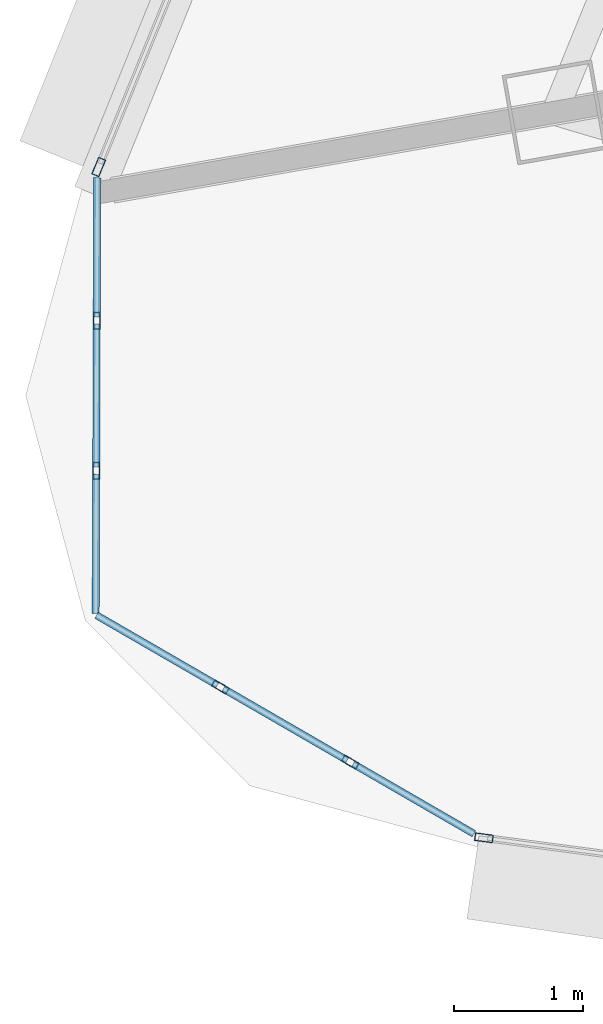
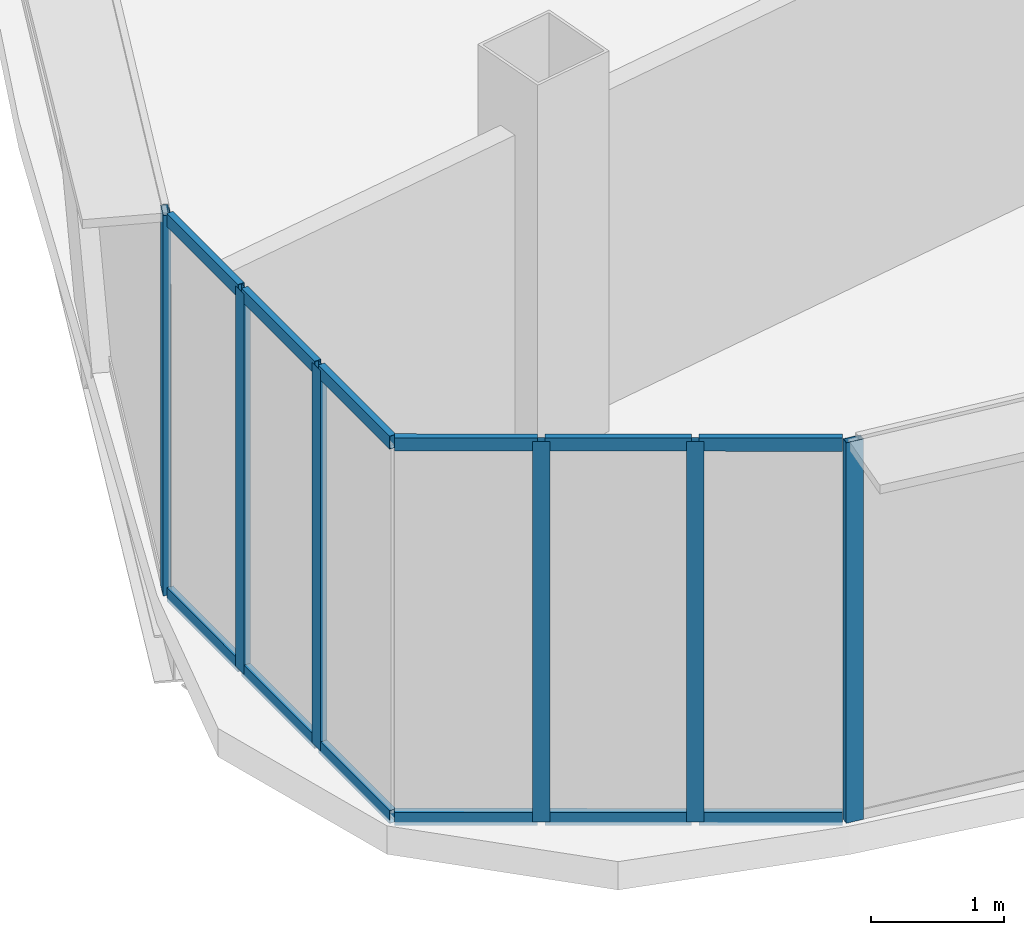
# One storey, part 2 of 26: 18 members, 4 elements without a shape of their own.
"""IFC4 building model written with IfcOpenShell, lengths in metres."""

from ifc_helpers import new_model, si_unit, direction, frame, origin, origin_2d, place, context, subcontext, project, spatial, hollow_rectangle, extrude, source, transform, mapped, material, layer, layer_set, material_profile, profile_set, type_object, element, aggregate, save


model = new_model("IFC4")

# Units and contexts
model_context = context("Model", 3, precision=1e-05, world=origin(), true_north=direction((0.0, 1.0)))
body_context = subcontext(model_context, "Body", "Model", "MODEL_VIEW")
ifc_project = project(units=[si_unit("LENGTHUNIT", "METRE"), si_unit("AREAUNIT", "SQUARE_METRE"), si_unit("VOLUMEUNIT", "CUBIC_METRE"), si_unit("PLANEANGLEUNIT", "RADIAN"), si_unit("MASSUNIT", "GRAM", prefix="KILO"), si_unit("THERMODYNAMICTEMPERATUREUNIT", "KELVIN"), si_unit("POWERUNIT", "WATT")], contexts=[model_context])

# Site, building, storey
site_placement = place(None, origin())
site = spatial("IfcSite", under=ifc_project, at=site_placement, CompositionType="ELEMENT")
building_placement = place(site_placement, origin())
building = spatial("IfcBuilding", under=site, at=building_placement, Name="Yunzhuo Pagoda Commons", CompositionType="ELEMENT")
storey_placement = place(building_placement, frame((0.0, 0.0, 340.510009765625)))
storey = spatial("IfcBuildingStorey", under=building, at=storey_placement, Name="L85", CompositionType="ELEMENT", Elevation=340.510009765625)

# Curtain wall, member
ifc_material = material(Name="Anodized aluminium 6063-T6", Category="aluminium")
ifc_layer_1 = layer(ifc_material, 0.139892578125)
ifc_layer_set_1 = layer_set([ifc_layer_1], Name="Anodized aluminium 6063-T6")
curtain_wall_type_1 = type_object("IfcCurtainWallType", Name="CW-HI High-Zone Ribbon Curtain Wall", PredefinedType="NOTDEFINED", material=ifc_layer_set_1)
curtain_wall_1_placement = place(storey_placement, origin())
curtain_wall_1 = element("IfcCurtainWall", 1, at=curtain_wall_1_placement, inside=storey, type_object=curtain_wall_type_1, Name="L85 curtain wall CW-L85-F1B1", PredefinedType="NOTDEFINED")
ifc_material_profile_1 = material_profile(ifc_material, hollow_rectangle(XDim=0.06005859375, YDim=0.139892578125, WallThickness=0.00341796875, at=origin_2d()), Name="Anodized aluminium 6063-T6")
ifc_profile_set_1 = profile_set([ifc_material_profile_1], Name="Anodized aluminium 6063-T6")
member_type_1 = type_object("IfcMemberType", Name="CW-HI-M Mullion RHS 140x60x3.5", PredefinedType="MULLION", material=ifc_profile_set_1)
shared_shape_1 = source(origin(), body_context, "Body", "SweptSolid", [
    extrude(hollow_rectangle(XDim=0.06005859375, YDim=0.139892578125, WallThickness=0.00341796875, at=origin_2d()), origin(), (0.0, 0.0, 1.0), 3.489990234375),
])
member_1_placement = place(storey_placement, frame((22.9833984375, 23.781982421875, 0.0), z_axis=(0.0, 0.0, 1.0), x_axis=(0.132068741636, 0.991240559845, 0.0)))
member_1 = element("IfcMember", 2, at=member_1_placement, type_object=member_type_1, Name="CW mullion 1", PredefinedType="MULLION", context=body_context, shape_type="MappedRepresentation", body=[
    mapped(shared_shape_1, transform((0.0, 0.0, 0.0), scale=1.0)),
])
aggregate(curtain_wall_1, [member_1])

curtain_wall_2_placement = place(storey_placement, origin())
curtain_wall_2 = element("IfcCurtainWall", 3, at=curtain_wall_2_placement, inside=storey, type_object=curtain_wall_type_1, Name="L85 curtain wall CW-L85-F3B4", PredefinedType="NOTDEFINED")
member_2_placement = place(storey_placement, frame((20.008544921875, 28.962890625, 0.0), z_axis=(0.0, 0.0, 1.0), x_axis=(0.925729863061, -0.37818543155, 0.0)))
member_2 = element("IfcMember", 4, at=member_2_placement, type_object=member_type_1, Name="CW mullion 2", PredefinedType="MULLION", context=body_context, shape_type="MappedRepresentation", body=[
    mapped(shared_shape_1, transform((0.0, 0.0, 0.0), scale=1.0)),
])
aggregate(curtain_wall_2, [member_2])

# Curtain wall, members
ifc_layer_2 = layer(ifc_material, 0.1298828125)
ifc_layer_set_2 = layer_set([ifc_layer_2], Name="Anodized aluminium 6063-T6")
curtain_wall_type_2 = type_object("IfcCurtainWallType", Name="CW-VTX Rounded Corner Curtain Wall", PredefinedType="NOTDEFINED", material=ifc_layer_set_2)
curtain_wall_3_placement = place(storey_placement, origin())
curtain_wall_3 = element("IfcCurtainWall", 5, at=curtain_wall_3_placement, inside=storey, type_object=curtain_wall_type_2, Name="L85 curtain wall CW-L85-VTX1S1", PredefinedType="NOTDEFINED")
ifc_material_profile_2 = material_profile(ifc_material, hollow_rectangle(XDim=0.054931640625, YDim=0.1298828125, WallThickness=0.00341796875, at=origin_2d()), Name="Anodized aluminium 6063-T6")
ifc_profile_set_2 = profile_set([ifc_material_profile_2], Name="Anodized aluminium 6063-T6")
member_type_2 = type_object("IfcMemberType", Name="CW-VTX-M Mullion RHS 130x55x3.5", PredefinedType="MULLION", material=ifc_profile_set_2)
shared_shape_2 = source(origin(), body_context, "Body", "SweptSolid", [
    extrude(hollow_rectangle(XDim=0.054931640625, YDim=0.1298828125, WallThickness=0.00341796875, at=origin_2d()), origin(), (0.0, 0.0, 1.0), 3.489990234375),
])
member_3_placement = place(storey_placement, frame((19.992919921875, 27.776123046875, 0.0), z_axis=(0.0, 0.0, 1.0), x_axis=(0.999993639375, -0.003566680416, 0.0)))
member_3 = element("IfcMember", 6, at=member_3_placement, type_object=member_type_2, Name="CW mullion 2", PredefinedType="MULLION", context=body_context, shape_type="MappedRepresentation", body=[
    mapped(shared_shape_2, transform((0.0, 0.0, 0.0), scale=1.0)),
])
member_4_placement = place(storey_placement, frame((19.989013671875, 26.617431640625, 0.0), z_axis=(0.0, 0.0, 1.0), x_axis=(0.999993639375, -0.003566680416, 0.0)))
member_4 = element("IfcMember", 7, at=member_4_placement, type_object=member_type_2, Name="CW mullion 3", PredefinedType="MULLION", context=body_context, shape_type="MappedRepresentation", body=[
    mapped(shared_shape_2, transform((0.0, 0.0, 0.0), scale=1.0)),
])

curtain_wall_4_placement = place(storey_placement, origin())
curtain_wall_4 = element("IfcCurtainWall", 8, at=curtain_wall_4_placement, inside=storey, type_object=curtain_wall_type_2, Name="L85 curtain wall CW-L85-VTX1S2", PredefinedType="NOTDEFINED")
member_5_placement = place(storey_placement, frame((20.94775390625, 24.947265625, 0.0), z_axis=(0.0, 0.0, 1.0), x_axis=(0.501028333753, 0.865430880416, 0.0)))
member_5 = element("IfcMember", 9, at=member_5_placement, type_object=member_type_2, Name="CW mullion 2", PredefinedType="MULLION", context=body_context, shape_type="MappedRepresentation", body=[
    mapped(shared_shape_2, transform((0.0, 0.0, 0.0), scale=1.0)),
])
member_6_placement = place(storey_placement, frame((21.95068359375, 24.36669921875, 0.0), z_axis=(0.0, 0.0, 1.0), x_axis=(0.501028333753, 0.865430880416, 0.0)))
member_6 = element("IfcMember", 10, at=member_6_placement, type_object=member_type_2, Name="CW mullion 3", PredefinedType="MULLION", context=body_context, shape_type="MappedRepresentation", body=[
    mapped(shared_shape_2, transform((0.0, 0.0, 0.0), scale=1.0)),
])

# Member
ifc_material_profile_3 = material_profile(ifc_material, hollow_rectangle(XDim=0.054931640625, YDim=0.1201171875, WallThickness=0.00341796875, at=origin_2d()), Name="Anodized aluminium 6063-T6")
ifc_profile_set_3 = profile_set([ifc_material_profile_3], Name="Anodized aluminium 6063-T6")
member_type_3 = type_object("IfcMemberType", Name="CW-VTX-T Transom RHS 120x55x3.5", PredefinedType="USERDEFINED", material=ifc_profile_set_3)
shared_shape_3 = source(origin(), body_context, "Body", "SweptSolid", [
    extrude(hollow_rectangle(XDim=0.054931640625, YDim=0.1201171875, WallThickness=0.00341796875, at=origin_2d()), origin(), (0.0, 0.0, 1.0), 1.076171875),
])
member_7_placement = place(storey_placement, frame((19.996826171875, 28.8798828125, 0.027587890625), z_axis=(-0.003402884109, -0.999994210173, 0.0), x_axis=(0.999994210173, -0.003402884109, 0.0)))
member_7 = element("IfcMember", 11, at=member_7_placement, type_object=member_type_3, Name="CW transom 1.1", ObjectType="TRANSOM", PredefinedType="USERDEFINED", context=body_context, shape_type="MappedRepresentation", body=[
    mapped(shared_shape_3, transform((0.0, 0.0, 0.0), scale=1.0)),
])

member_8_placement = place(storey_placement, frame((19.996826171875, 28.8798828125, 3.46240234375), z_axis=(-0.003402884109, -0.999994210173, 0.0), x_axis=(0.999994210173, -0.003402884109, 0.0)))
member_8 = element("IfcMember", 12, at=member_8_placement, type_object=member_type_3, Name="CW transom 1.2", ObjectType="TRANSOM", PredefinedType="USERDEFINED", context=body_context, shape_type="MappedRepresentation", body=[
    mapped(shared_shape_3, transform((0.0, 0.0, 0.0), scale=1.0)),
])

member_9_placement = place(storey_placement, frame((19.992431640625, 25.500244140625, 0.027587890625), z_axis=(0.865493584374, -0.50092000899, 0.0), x_axis=(0.50092000899, 0.865493584374, 0.0)))
member_9 = element("IfcMember", 13, at=member_9_placement, type_object=member_type_3, Name="CW transom 1.1", ObjectType="TRANSOM", PredefinedType="USERDEFINED", context=body_context, shape_type="MappedRepresentation", body=[
    mapped(shared_shape_3, transform((0.0, 0.0, 0.0), scale=1.0)),
])

member_10_placement = place(storey_placement, frame((19.992431640625, 25.500244140625, 3.46240234375), z_axis=(0.865493584374, -0.50092000899, 0.0), x_axis=(0.50092000899, 0.865493584374, 0.0)))
member_10 = element("IfcMember", 14, at=member_10_placement, type_object=member_type_3, Name="CW transom 1.2", ObjectType="TRANSOM", PredefinedType="USERDEFINED", context=body_context, shape_type="MappedRepresentation", body=[
    mapped(shared_shape_3, transform((0.0, 0.0, 0.0), scale=1.0)),
])

shared_shape_4 = source(origin(), body_context, "Body", "SweptSolid", [
    extrude(hollow_rectangle(XDim=0.054931640625, YDim=0.1201171875, WallThickness=0.00341796875, at=origin_2d()), origin(), (0.0, 0.0, 1.0), 1.103759765625),
])
member_11_placement = place(storey_placement, frame((19.992919921875, 27.74853515625, 0.027587890625), z_axis=(-0.003539017873, -0.999993737657, 0.0), x_axis=(0.999993737657, -0.003539017873, 0.0)))
member_11 = element("IfcMember", 15, at=member_11_placement, type_object=member_type_3, Name="CW transom 2.1", ObjectType="TRANSOM", PredefinedType="USERDEFINED", context=body_context, shape_type="MappedRepresentation", body=[
    mapped(shared_shape_4, transform((0.0, 0.0, 0.0), scale=1.0)),
])

member_12_placement = place(storey_placement, frame((19.992919921875, 27.74853515625, 3.46240234375), z_axis=(-0.003539017873, -0.999993737657, 0.0), x_axis=(0.999993737657, -0.003539017873, 0.0)))
member_12 = element("IfcMember", 16, at=member_12_placement, type_object=member_type_3, Name="CW transom 2.2", ObjectType="TRANSOM", PredefinedType="USERDEFINED", context=body_context, shape_type="MappedRepresentation", body=[
    mapped(shared_shape_4, transform((0.0, 0.0, 0.0), scale=1.0)),
])

member_13_placement = place(storey_placement, frame((20.9716796875, 24.93359375, 0.027587890625), z_axis=(0.865315207764, -0.501228083025, 0.0), x_axis=(0.501228083025, 0.865315207764, 0.0)))
member_13 = element("IfcMember", 17, at=member_13_placement, type_object=member_type_3, Name="CW transom 2.1", ObjectType="TRANSOM", PredefinedType="USERDEFINED", context=body_context, shape_type="MappedRepresentation", body=[
    mapped(shared_shape_4, transform((0.0, 0.0, 0.0), scale=1.0)),
])

member_14_placement = place(storey_placement, frame((20.9716796875, 24.93359375, 3.46240234375), z_axis=(0.865315207764, -0.501228083025, 0.0), x_axis=(0.501228083025, 0.865315207764, 0.0)))
member_14 = element("IfcMember", 18, at=member_14_placement, type_object=member_type_3, Name="CW transom 2.2", ObjectType="TRANSOM", PredefinedType="USERDEFINED", context=body_context, shape_type="MappedRepresentation", body=[
    mapped(shared_shape_4, transform((0.0, 0.0, 0.0), scale=1.0)),
])

shared_shape_5 = source(origin(), body_context, "Body", "SweptSolid", [
    extrude(hollow_rectangle(XDim=0.054931640625, YDim=0.1201171875, WallThickness=0.00341796875, at=origin_2d()), origin(), (0.0, 0.0, 1.0), 1.076416015625),
])
member_15_placement = place(storey_placement, frame((19.989013671875, 26.58984375, 0.027587890625), z_axis=(-0.003855720942, -0.99999256668, 0.0), x_axis=(0.99999256668, -0.003855720942, 0.0)))
member_15 = element("IfcMember", 19, at=member_15_placement, type_object=member_type_3, Name="CW transom 3.1", ObjectType="TRANSOM", PredefinedType="USERDEFINED", context=body_context, shape_type="MappedRepresentation", body=[
    mapped(shared_shape_5, transform((0.0, 0.0, 0.0), scale=1.0)),
])

member_16_placement = place(storey_placement, frame((19.989013671875, 26.58984375, 3.46240234375), z_axis=(-0.003855720942, -0.99999256668, 0.0), x_axis=(0.99999256668, -0.003855720942, 0.0)))
member_16 = element("IfcMember", 20, at=member_16_placement, type_object=member_type_3, Name="CW transom 3.2", ObjectType="TRANSOM", PredefinedType="USERDEFINED", context=body_context, shape_type="MappedRepresentation", body=[
    mapped(shared_shape_5, transform((0.0, 0.0, 0.0), scale=1.0)),
])

aggregate(curtain_wall_3, [member_3, member_4, member_7, member_8, member_11, member_12, member_15, member_16])

member_17_placement = place(storey_placement, frame((21.974365234375, 24.352783203125, 0.027587890625), z_axis=(0.865452163497, -0.500991569488, 0.0), x_axis=(0.500991569488, 0.865452163497, 0.0)))
member_17 = element("IfcMember", 21, at=member_17_placement, type_object=member_type_3, Name="CW transom 3.1", ObjectType="TRANSOM", PredefinedType="USERDEFINED", context=body_context, shape_type="MappedRepresentation", body=[
    mapped(shared_shape_5, transform((0.0, 0.0, 0.0), scale=1.0)),
])

member_18_placement = place(storey_placement, frame((21.974365234375, 24.352783203125, 3.46240234375), z_axis=(0.865452163497, -0.500991569488, 0.0), x_axis=(0.500991569488, 0.865452163497, 0.0)))
member_18 = element("IfcMember", 22, at=member_18_placement, type_object=member_type_3, Name="CW transom 3.2", ObjectType="TRANSOM", PredefinedType="USERDEFINED", context=body_context, shape_type="MappedRepresentation", body=[
    mapped(shared_shape_5, transform((0.0, 0.0, 0.0), scale=1.0)),
])

aggregate(curtain_wall_4, [member_5, member_6, member_9, member_10, member_13, member_14, member_17, member_18])

save(model, "model.ifc")
